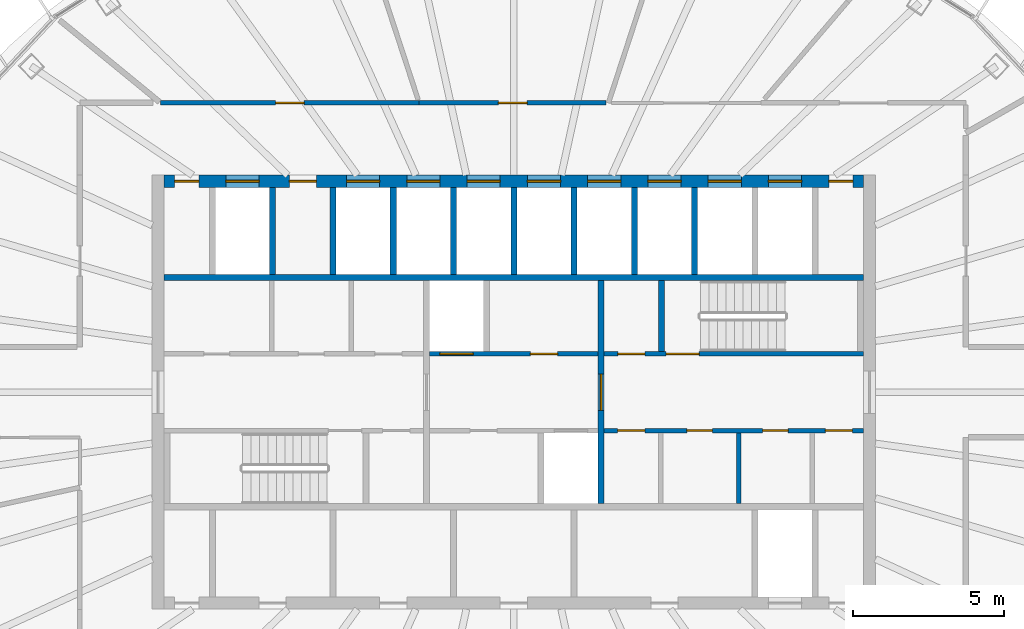
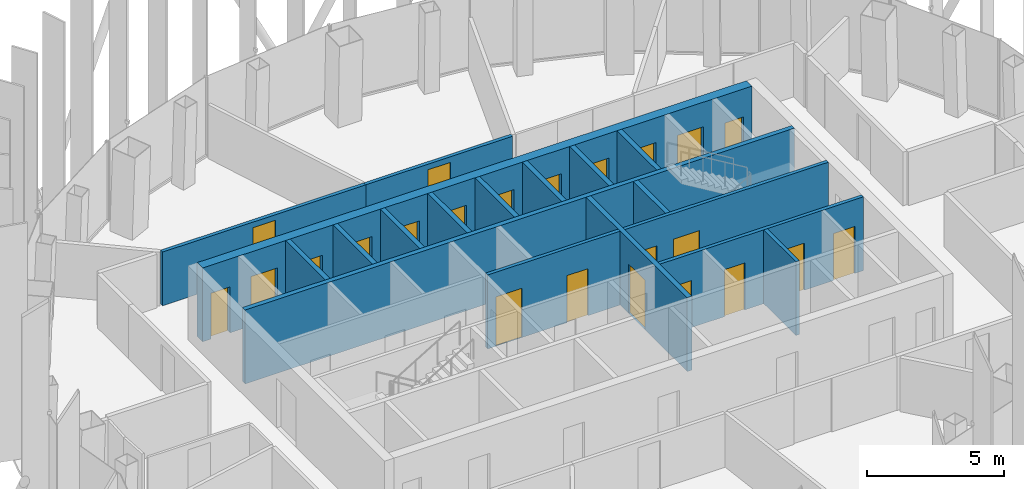
# One storey, part 11 of 20: 23 doors, 18 walls, 23 openings.
"""IFC4 building model written with IfcOpenShell, lengths in metres."""

from ifc_helpers import new_model, si_unit, direction, frame, frame_2d, origin, place, context, subcontext, project, spatial, rectangle, extrude, material, layer, layer_set, type_object, element, fill, save


model = new_model("IFC4")

# Units and contexts
model_context = context("Model", 3, precision=1e-05, world=origin(), true_north=direction((0.0, 1.0)))
body_context = subcontext(model_context, "Body", "Model", "MODEL_VIEW")
ifc_project = project(units=[si_unit("LENGTHUNIT", "METRE"), si_unit("AREAUNIT", "SQUARE_METRE"), si_unit("VOLUMEUNIT", "CUBIC_METRE"), si_unit("PLANEANGLEUNIT", "RADIAN"), si_unit("MASSUNIT", "GRAM", prefix="KILO")], contexts=[model_context])

# Site, building, storey
site_placement = place(None, origin())
site = spatial("IfcSite", under=ifc_project, at=site_placement, CompositionType="ELEMENT")
building_placement = place(site_placement, origin())
building = spatial("IfcBuilding", under=site, at=building_placement, Name="Siaravel Broadcast Tower", CompositionType="ELEMENT")
storey_placement = place(building_placement, frame((0.0, 0.0, 228.199951171875)))
storey = spatial("IfcBuildingStorey", under=building, at=storey_placement, Name="L55", CompositionType="ELEMENT", Elevation=228.199951171875)

# Wall
ifc_material_1 = material(Name="Concrete blockwork", Category="masonry")
ifc_layer_1 = layer(ifc_material_1, 0.14990234375)
ifc_layer_set_1 = layer_set([ifc_layer_1], Name="Concrete blockwork")
wall_type_1 = type_object("IfcWallType", Name="Core partition 150", PredefinedType="PARTITIONING", material=ifc_layer_set_1)
wall_1_placement = place(storey_placement, frame((7.462890625, -3.699951171875, 0.0), z_axis=(0.0, 0.0, 1.0), x_axis=(0.0, 1.0, 0.0)))
element("IfcWall", 1, at=wall_1_placement, inside=storey, type_object=wall_type_1, Name="L55 core partition PSE1", PredefinedType="PARTITIONING", context=body_context, shape_type="SweptSolid", body=[
    extrude(rectangle(XDim=2.349853515625, YDim=0.14990234375, at=frame_2d((1.1748046875, 0.0))), origin(), (0.0, 0.0, 1.0), 3.300048828125),
])

# Wall, openings, doors
ifc_material_2 = material(Name="Concrete C60/75", Category="concrete")
ifc_layer_2 = layer(ifc_material_2, 0.39990234375)
ifc_layer_set_2 = layer_set([ifc_layer_2], Name="Concrete C60/75")
wall_type_2 = type_object("IfcWallType", Name="Core wall 400", PredefinedType="SHEAR", material=ifc_layer_set_2)
wall_2_placement = place(storey_placement, frame((-11.60009765625, 7.0, 0.0), z_axis=(0.0, 0.0, 1.0), x_axis=(1.0, 0.0, 0.0)))
wall_2 = element("IfcWall", 2, at=wall_2_placement, inside=storey, type_object=wall_type_2, Name="L55 core wall ON", PredefinedType="SHEAR", context=body_context, shape_type="SweptSolid", body=[
    extrude(rectangle(XDim=23.2001953125, YDim=0.39990234375, at=frame_2d((11.60009765625, 0.0))), origin(), (0.0, 0.0, 1.0), 3.300048828125),
])
opening_1_placement = place(wall_2_placement, frame((2.050048828125, 0.0, 0.0)))
opening_1 = element("IfcOpeningElement", 3, at=opening_1_placement, cuts=wall_2, Name="Opening LD-SV2-L55", PredefinedType="OPENING", context=body_context, shape_type="SweptSolid", body=[
    extrude(rectangle(XDim=1.10009765625, YDim=2.199951171875, at=frame_2d((0.550048828125, 1.10009765625))), frame((0.0, 0.2099609375, 0.0), z_axis=(0.0, -1.0, 0.0), x_axis=(1.0, 0.0, 0.0)), (0.0, 0.0, 1.0), 0.419921875),
])
opening_2_placement = place(wall_2_placement, frame((6.050048828125, 0.0, 0.0)))
opening_2 = element("IfcOpeningElement", 4, at=opening_2_placement, cuts=wall_2, Name="Opening LD-HP1-L55", PredefinedType="OPENING", context=body_context, shape_type="SweptSolid", body=[
    extrude(rectangle(XDim=1.10009765625, YDim=2.199951171875, at=frame_2d((0.550048828125, 1.10009765625))), frame((0.0, 0.2099609375, 0.0), z_axis=(0.0, -1.0, 0.0), x_axis=(1.0, 0.0, 0.0)), (0.0, 0.0, 1.0), 0.419921875),
])
opening_3_placement = place(wall_2_placement, frame((8.050048828125, 0.0, 0.0)))
opening_3 = element("IfcOpeningElement", 5, at=opening_3_placement, cuts=wall_2, Name="Opening LD-HP2-L55", PredefinedType="OPENING", context=body_context, shape_type="SweptSolid", body=[
    extrude(rectangle(XDim=1.10009765625, YDim=2.199951171875, at=frame_2d((0.550048828125, 1.10009765625))), frame((0.0, 0.2099609375, 0.0), z_axis=(0.0, -1.0, 0.0), x_axis=(1.0, 0.0, 0.0)), (0.0, 0.0, 1.0), 0.419921875),
])
opening_4_placement = place(wall_2_placement, frame((10.050048828125, 0.0, 0.0)))
opening_4 = element("IfcOpeningElement", 6, at=opening_4_placement, cuts=wall_2, Name="Opening LD-HP3-L55", PredefinedType="OPENING", context=body_context, shape_type="SweptSolid", body=[
    extrude(rectangle(XDim=1.10009765625, YDim=2.199951171875, at=frame_2d((0.550048828125, 1.10009765625))), frame((0.0, 0.2099609375, 0.0), z_axis=(0.0, -1.0, 0.0), x_axis=(1.0, 0.0, 0.0)), (0.0, 0.0, 1.0), 0.419921875),
])
opening_5_placement = place(wall_2_placement, frame((12.050048828125, 0.0, 0.0)))
opening_5 = element("IfcOpeningElement", 7, at=opening_5_placement, cuts=wall_2, Name="Opening LD-HP4-L55", PredefinedType="OPENING", context=body_context, shape_type="SweptSolid", body=[
    extrude(rectangle(XDim=1.10009765625, YDim=2.199951171875, at=frame_2d((0.550048828125, 1.10009765625))), frame((0.0, 0.2099609375, 0.0), z_axis=(0.0, -1.0, 0.0), x_axis=(1.0, 0.0, 0.0)), (0.0, 0.0, 1.0), 0.419921875),
])
opening_6_placement = place(wall_2_placement, frame((14.050048828125, 0.0, 0.0)))
opening_6 = element("IfcOpeningElement", 8, at=opening_6_placement, cuts=wall_2, Name="Opening LD-HP5-L55", PredefinedType="OPENING", context=body_context, shape_type="SweptSolid", body=[
    extrude(rectangle(XDim=1.10009765625, YDim=2.199951171875, at=frame_2d((0.550048828125, 1.10009765625))), frame((0.0, 0.2099609375, 0.0), z_axis=(0.0, -1.0, 0.0), x_axis=(1.0, 0.0, 0.0)), (0.0, 0.0, 1.0), 0.419921875),
])
opening_7_placement = place(wall_2_placement, frame((16.050048828125, 0.0, 0.0)))
opening_7 = element("IfcOpeningElement", 9, at=opening_7_placement, cuts=wall_2, Name="Opening LD-HP6-L55", PredefinedType="OPENING", context=body_context, shape_type="SweptSolid", body=[
    extrude(rectangle(XDim=1.10009765625, YDim=2.199951171875, at=frame_2d((0.550048828125, 1.10009765625))), frame((0.0, 0.2099609375, 0.0), z_axis=(0.0, -1.0, 0.0), x_axis=(1.0, 0.0, 0.0)), (0.0, 0.0, 1.0), 0.419921875),
])
opening_8_placement = place(wall_2_placement, frame((18.050048828125, 0.0, 0.0)))
opening_8 = element("IfcOpeningElement", 10, at=opening_8_placement, cuts=wall_2, Name="Opening LD-HP7-L55", PredefinedType="OPENING", context=body_context, shape_type="SweptSolid", body=[
    extrude(rectangle(XDim=1.10009765625, YDim=2.199951171875, at=frame_2d((0.550048828125, 1.10009765625))), frame((0.0, 0.2099609375, 0.0), z_axis=(0.0, -1.0, 0.0), x_axis=(1.0, 0.0, 0.0)), (0.0, 0.0, 1.0), 0.419921875),
])
opening_9_placement = place(wall_2_placement, frame((20.050048828125, 0.0, 0.0)))
opening_9 = element("IfcOpeningElement", 11, at=opening_9_placement, cuts=wall_2, Name="Opening LD-HP8-L55", PredefinedType="OPENING", context=body_context, shape_type="SweptSolid", body=[
    extrude(rectangle(XDim=1.10009765625, YDim=2.199951171875, at=frame_2d((0.550048828125, 1.10009765625))), frame((0.0, 0.2099609375, 0.0), z_axis=(0.0, -1.0, 0.0), x_axis=(1.0, 0.0, 0.0)), (0.0, 0.0, 1.0), 0.419921875),
])
opening_10_placement = place(wall_2_placement, frame((4.14990234375, 0.0, 0.0)))
opening_10 = element("IfcOpeningElement", 12, at=opening_10_placement, cuts=wall_2, Name="Opening L55-DFN1", PredefinedType="OPENING", context=body_context, shape_type="SweptSolid", body=[
    extrude(rectangle(XDim=0.89990234375, YDim=2.10009765625, at=frame_2d((0.449951171875, 1.050048828125))), frame((0.0, 0.2099609375, 0.0), z_axis=(0.0, -1.0, 0.0), x_axis=(1.0, 0.0, 0.0)), (0.0, 0.0, 1.0), 0.419921875),
])
opening_11_placement = place(wall_2_placement, frame((0.35009765625, 0.0, 0.0)))
opening_11 = element("IfcOpeningElement", 13, at=opening_11_placement, cuts=wall_2, Name="Opening L55-DRNW", PredefinedType="OPENING", context=body_context, shape_type="SweptSolid", body=[
    extrude(rectangle(XDim=0.800048828125, YDim=2.050048828125, at=frame_2d((0.39990234375, 1.02490234375))), frame((0.0, 0.2099609375, 0.0), z_axis=(0.0, -1.0, 0.0), x_axis=(1.0, 0.0, 0.0)), (0.0, 0.0, 1.0), 0.419921875),
])
opening_12_placement = place(wall_2_placement, frame((22.050048828125, 0.0, 0.0)))
opening_12 = element("IfcOpeningElement", 14, at=opening_12_placement, cuts=wall_2, Name="Opening L55-DRNE", PredefinedType="OPENING", context=body_context, shape_type="SweptSolid", body=[
    extrude(rectangle(XDim=0.800048828125, YDim=2.050048828125, at=frame_2d((0.39990234375, 1.02490234375))), frame((0.0, 0.2099609375, 0.0), z_axis=(0.0, -1.0, 0.0), x_axis=(1.0, 0.0, 0.0)), (0.0, 0.0, 1.0), 0.419921875),
])
ifc_material_3 = material(Name="Timber veneer", Category="wood")
door_type_1 = type_object("IfcDoorType", Name="Core room door 900", OperationType="SINGLE_SWING_LEFT", PredefinedType="DOOR", material=ifc_material_3)
door_1_placement = place(opening_10_placement, origin())
door_1 = element("IfcDoor", 15, at=door_1_placement, inside=storey, type_object=door_type_1, Name="L55 door DFN1", OperationType="SINGLE_SWING_LEFT", OverallHeight=2.10009765625, OverallWidth=0.89990234375, PredefinedType="DOOR", context=body_context, shape_type="SweptSolid", body=[
    extrude(rectangle(XDim=0.89990234375, YDim=2.10009765625, at=frame_2d((0.449951171875, 1.050048828125))), frame((0.0, 0.02490234375, 0.0), z_axis=(0.0, -1.0, 0.0), x_axis=(1.0, 0.0, 0.0)), (0.0, 0.0, 1.0), 0.050048828125),
])
fill(opening_10, door_1)
ifc_material_4 = material(Name="Stainless steel 316L", Category="steel")
door_type_2 = type_object("IfcDoorType", Name="Lift landing door 1100", OperationType="DOUBLE_DOOR_SLIDING", PredefinedType="DOOR", material=ifc_material_4)
door_2_placement = place(opening_2_placement, origin())
door_2 = element("IfcDoor", 16, at=door_2_placement, inside=storey, type_object=door_type_2, Name="Landing door HP1 L55", OperationType="DOUBLE_DOOR_SLIDING", OverallHeight=2.199951171875, OverallWidth=1.10009765625, PredefinedType="DOOR", context=body_context, shape_type="SweptSolid", body=[
    extrude(rectangle(XDim=1.10009765625, YDim=2.199951171875, at=frame_2d((0.550048828125, 1.10009765625))), frame((0.0, 0.02490234375, 0.0), z_axis=(0.0, -1.0, 0.0), x_axis=(1.0, 0.0, 0.0)), (0.0, 0.0, 1.0), 0.050048828125),
])
fill(opening_2, door_2)
door_3_placement = place(opening_3_placement, origin())
door_3 = element("IfcDoor", 17, at=door_3_placement, inside=storey, type_object=door_type_2, Name="Landing door HP2 L55", OperationType="DOUBLE_DOOR_SLIDING", OverallHeight=2.199951171875, OverallWidth=1.10009765625, PredefinedType="DOOR", context=body_context, shape_type="SweptSolid", body=[
    extrude(rectangle(XDim=1.10009765625, YDim=2.199951171875, at=frame_2d((0.550048828125, 1.10009765625))), frame((0.0, 0.02490234375, 0.0), z_axis=(0.0, -1.0, 0.0), x_axis=(1.0, 0.0, 0.0)), (0.0, 0.0, 1.0), 0.050048828125),
])
fill(opening_3, door_3)
door_4_placement = place(opening_4_placement, origin())
door_4 = element("IfcDoor", 18, at=door_4_placement, inside=storey, type_object=door_type_2, Name="Landing door HP3 L55", OperationType="DOUBLE_DOOR_SLIDING", OverallHeight=2.199951171875, OverallWidth=1.10009765625, PredefinedType="DOOR", context=body_context, shape_type="SweptSolid", body=[
    extrude(rectangle(XDim=1.10009765625, YDim=2.199951171875, at=frame_2d((0.550048828125, 1.10009765625))), frame((0.0, 0.02490234375, 0.0), z_axis=(0.0, -1.0, 0.0), x_axis=(1.0, 0.0, 0.0)), (0.0, 0.0, 1.0), 0.050048828125),
])
fill(opening_4, door_4)
door_5_placement = place(opening_5_placement, origin())
door_5 = element("IfcDoor", 19, at=door_5_placement, inside=storey, type_object=door_type_2, Name="Landing door HP4 L55", OperationType="DOUBLE_DOOR_SLIDING", OverallHeight=2.199951171875, OverallWidth=1.10009765625, PredefinedType="DOOR", context=body_context, shape_type="SweptSolid", body=[
    extrude(rectangle(XDim=1.10009765625, YDim=2.199951171875, at=frame_2d((0.550048828125, 1.10009765625))), frame((0.0, 0.02490234375, 0.0), z_axis=(0.0, -1.0, 0.0), x_axis=(1.0, 0.0, 0.0)), (0.0, 0.0, 1.0), 0.050048828125),
])
fill(opening_5, door_5)
door_6_placement = place(opening_6_placement, origin())
door_6 = element("IfcDoor", 20, at=door_6_placement, inside=storey, type_object=door_type_2, Name="Landing door HP5 L55", OperationType="DOUBLE_DOOR_SLIDING", OverallHeight=2.199951171875, OverallWidth=1.10009765625, PredefinedType="DOOR", context=body_context, shape_type="SweptSolid", body=[
    extrude(rectangle(XDim=1.10009765625, YDim=2.199951171875, at=frame_2d((0.550048828125, 1.10009765625))), frame((0.0, 0.02490234375, 0.0), z_axis=(0.0, -1.0, 0.0), x_axis=(1.0, 0.0, 0.0)), (0.0, 0.0, 1.0), 0.050048828125),
])
fill(opening_6, door_6)
door_7_placement = place(opening_7_placement, origin())
door_7 = element("IfcDoor", 21, at=door_7_placement, inside=storey, type_object=door_type_2, Name="Landing door HP6 L55", OperationType="DOUBLE_DOOR_SLIDING", OverallHeight=2.199951171875, OverallWidth=1.10009765625, PredefinedType="DOOR", context=body_context, shape_type="SweptSolid", body=[
    extrude(rectangle(XDim=1.10009765625, YDim=2.199951171875, at=frame_2d((0.550048828125, 1.10009765625))), frame((0.0, 0.02490234375, 0.0), z_axis=(0.0, -1.0, 0.0), x_axis=(1.0, 0.0, 0.0)), (0.0, 0.0, 1.0), 0.050048828125),
])
fill(opening_7, door_7)
door_8_placement = place(opening_8_placement, origin())
door_8 = element("IfcDoor", 22, at=door_8_placement, inside=storey, type_object=door_type_2, Name="Landing door HP7 L55", OperationType="DOUBLE_DOOR_SLIDING", OverallHeight=2.199951171875, OverallWidth=1.10009765625, PredefinedType="DOOR", context=body_context, shape_type="SweptSolid", body=[
    extrude(rectangle(XDim=1.10009765625, YDim=2.199951171875, at=frame_2d((0.550048828125, 1.10009765625))), frame((0.0, 0.02490234375, 0.0), z_axis=(0.0, -1.0, 0.0), x_axis=(1.0, 0.0, 0.0)), (0.0, 0.0, 1.0), 0.050048828125),
])
fill(opening_8, door_8)
door_9_placement = place(opening_9_placement, origin())
door_9 = element("IfcDoor", 23, at=door_9_placement, inside=storey, type_object=door_type_2, Name="Landing door HP8 L55", OperationType="DOUBLE_DOOR_SLIDING", OverallHeight=2.199951171875, OverallWidth=1.10009765625, PredefinedType="DOOR", context=body_context, shape_type="SweptSolid", body=[
    extrude(rectangle(XDim=1.10009765625, YDim=2.199951171875, at=frame_2d((0.550048828125, 1.10009765625))), frame((0.0, 0.02490234375, 0.0), z_axis=(0.0, -1.0, 0.0), x_axis=(1.0, 0.0, 0.0)), (0.0, 0.0, 1.0), 0.050048828125),
])
fill(opening_9, door_9)
ifc_material_5 = material(Name="Steel", Category="steel")
door_type_3 = type_object("IfcDoorType", Name="Riser door 800", OperationType="SINGLE_SWING_LEFT", PredefinedType="DOOR", material=ifc_material_5)
door_10_placement = place(opening_11_placement, origin())
door_10 = element("IfcDoor", 24, at=door_10_placement, inside=storey, type_object=door_type_3, Name="L55 door DRNW", OperationType="SINGLE_SWING_LEFT", OverallHeight=2.050048828125, OverallWidth=0.800048828125, PredefinedType="DOOR", context=body_context, shape_type="SweptSolid", body=[
    extrude(rectangle(XDim=0.800048828125, YDim=2.050048828125, at=frame_2d((0.39990234375, 1.02490234375))), frame((0.0, 0.02490234375, 0.0), z_axis=(0.0, -1.0, 0.0), x_axis=(1.0, 0.0, 0.0)), (0.0, 0.0, 1.0), 0.050048828125),
])
fill(opening_11, door_10)
door_11_placement = place(opening_12_placement, origin())
door_11 = element("IfcDoor", 25, at=door_11_placement, inside=storey, type_object=door_type_3, Name="L55 door DRNE", OperationType="SINGLE_SWING_LEFT", OverallHeight=2.050048828125, OverallWidth=0.800048828125, PredefinedType="DOOR", context=body_context, shape_type="SweptSolid", body=[
    extrude(rectangle(XDim=0.800048828125, YDim=2.050048828125, at=frame_2d((0.39990234375, 1.02490234375))), frame((0.0, 0.02490234375, 0.0), z_axis=(0.0, -1.0, 0.0), x_axis=(1.0, 0.0, 0.0)), (0.0, 0.0, 1.0), 0.050048828125),
])
fill(opening_12, door_11)
door_type_4 = type_object("IfcDoorType", Name="Service lift landing door 1100", OperationType="DOUBLE_DOOR_SLIDING", PredefinedType="DOOR", material=ifc_material_4)
door_12_placement = place(opening_1_placement, origin())
door_12 = element("IfcDoor", 26, at=door_12_placement, inside=storey, type_object=door_type_4, Name="Landing door SV2 L55", OperationType="DOUBLE_DOOR_SLIDING", OverallHeight=2.199951171875, OverallWidth=1.10009765625, PredefinedType="DOOR", context=body_context, shape_type="SweptSolid", body=[
    extrude(rectangle(XDim=1.10009765625, YDim=2.199951171875, at=frame_2d((0.550048828125, 1.10009765625))), frame((0.0, 0.02490234375, 0.0), z_axis=(0.0, -1.0, 0.0), x_axis=(1.0, 0.0, 0.0)), (0.0, 0.0, 1.0), 0.050048828125),
])
fill(opening_1, door_12)

ifc_material_6 = material(Name="Gypsum board partition", Category="gypsum")
ifc_layer_3 = layer(ifc_material_6, 0.14990234375)
ifc_layer_set_3 = layer_set([ifc_layer_3], Name="Gypsum board partition")
wall_type_3 = type_object("IfcWallType", Name="Corridor wall 150", PredefinedType="PARTITIONING", material=ifc_layer_set_3)
wall_3_placement = place(storey_placement, frame((3.0, -1.27490234375, 0.0), z_axis=(0.0, 0.0, 1.0), x_axis=(1.0, 0.0, 0.0)))
wall_3 = element("IfcWall", 27, at=wall_3_placement, inside=storey, type_object=wall_type_3, Name="L55 core partition CSE", PredefinedType="PARTITIONING", context=body_context, shape_type="SweptSolid", body=[
    extrude(rectangle(XDim=8.60009765625, YDim=0.14990234375, at=frame_2d((4.300048828125, 0.0))), origin(), (0.0, 0.0, 1.0), 3.300048828125),
])
opening_13_placement = place(wall_3_placement, frame((0.446533203125, 0.0, 0.0)))
opening_13 = element("IfcOpeningElement", 28, at=opening_13_placement, cuts=wall_3, Name="Opening L55-DSE0", PredefinedType="OPENING", context=body_context, shape_type="SweptSolid", body=[
    extrude(rectangle(XDim=0.89990234375, YDim=2.10009765625, at=frame_2d((0.449951171875, 1.050048828125))), frame((0.0, 0.0849609375, 0.0), z_axis=(0.0, -1.0, 0.0), x_axis=(1.0, 0.0, 0.0)), (0.0, 0.0, 1.0), 0.169921875),
])
opening_14_placement = place(wall_3_placement, frame((2.740478515625, 0.0, 0.0)))
opening_14 = element("IfcOpeningElement", 29, at=opening_14_placement, cuts=wall_3, Name="Opening L55-DSE1", PredefinedType="OPENING", context=body_context, shape_type="SweptSolid", body=[
    extrude(rectangle(XDim=0.85009765625, YDim=2.10009765625, at=frame_2d((0.425048828125, 1.050048828125))), frame((0.0, 0.0849609375, 0.0), z_axis=(0.0, -1.0, 0.0), x_axis=(1.0, 0.0, 0.0)), (0.0, 0.0, 1.0), 0.169921875),
])
opening_15_placement = place(wall_3_placement, frame((5.25390625, 0.0, 0.0)))
opening_15 = element("IfcOpeningElement", 30, at=opening_15_placement, cuts=wall_3, Name="Opening L55-DSE2", PredefinedType="OPENING", context=body_context, shape_type="SweptSolid", body=[
    extrude(rectangle(XDim=0.85009765625, YDim=2.10009765625, at=frame_2d((0.425048828125, 1.050048828125))), frame((0.0, 0.0849609375, 0.0), z_axis=(0.0, -1.0, 0.0), x_axis=(1.0, 0.0, 0.0)), (0.0, 0.0, 1.0), 0.169921875),
])
opening_16_placement = place(wall_3_placement, frame((7.3349609375, 0.0, 0.0)))
opening_16 = element("IfcOpeningElement", 31, at=opening_16_placement, cuts=wall_3, Name="Opening L55-DSE3", PredefinedType="OPENING", context=body_context, shape_type="SweptSolid", body=[
    extrude(rectangle(XDim=0.89990234375, YDim=2.10009765625, at=frame_2d((0.449951171875, 1.050048828125))), frame((0.0, 0.0849609375, 0.0), z_axis=(0.0, -1.0, 0.0), x_axis=(1.0, 0.0, 0.0)), (0.0, 0.0, 1.0), 0.169921875),
])
door_13_placement = place(opening_13_placement, origin())
door_13 = element("IfcDoor", 32, at=door_13_placement, inside=storey, type_object=door_type_1, Name="L55 door DSE0", OperationType="SINGLE_SWING_LEFT", OverallHeight=2.10009765625, OverallWidth=0.89990234375, PredefinedType="DOOR", context=body_context, shape_type="SweptSolid", body=[
    extrude(rectangle(XDim=0.89990234375, YDim=2.10009765625, at=frame_2d((0.449951171875, 1.050048828125))), frame((0.0, 0.02490234375, 0.0), z_axis=(0.0, -1.0, 0.0), x_axis=(1.0, 0.0, 0.0)), (0.0, 0.0, 1.0), 0.050048828125),
])
fill(opening_13, door_13)
door_14_placement = place(opening_16_placement, origin())
door_14 = element("IfcDoor", 33, at=door_14_placement, inside=storey, type_object=door_type_1, Name="L55 door DSE3", OperationType="SINGLE_SWING_LEFT", OverallHeight=2.10009765625, OverallWidth=0.89990234375, PredefinedType="DOOR", context=body_context, shape_type="SweptSolid", body=[
    extrude(rectangle(XDim=0.89990234375, YDim=2.10009765625, at=frame_2d((0.449951171875, 1.050048828125))), frame((0.0, 0.02490234375, 0.0), z_axis=(0.0, -1.0, 0.0), x_axis=(1.0, 0.0, 0.0)), (0.0, 0.0, 1.0), 0.050048828125),
])
fill(opening_16, door_14)
door_type_5 = type_object("IfcDoorType", Name="Core toilet door 850", OperationType="SINGLE_SWING_LEFT", PredefinedType="DOOR", material=ifc_material_3)
door_15_placement = place(opening_14_placement, origin())
door_15 = element("IfcDoor", 34, at=door_15_placement, inside=storey, type_object=door_type_5, Name="L55 door DSE1", OperationType="SINGLE_SWING_LEFT", OverallHeight=2.10009765625, OverallWidth=0.85009765625, PredefinedType="DOOR", context=body_context, shape_type="SweptSolid", body=[
    extrude(rectangle(XDim=0.85009765625, YDim=2.10009765625, at=frame_2d((0.425048828125, 1.050048828125))), frame((0.0, 0.02490234375, 0.0), z_axis=(0.0, -1.0, 0.0), x_axis=(1.0, 0.0, 0.0)), (0.0, 0.0, 1.0), 0.050048828125),
])
fill(opening_14, door_15)
door_16_placement = place(opening_15_placement, origin())
door_16 = element("IfcDoor", 35, at=door_16_placement, inside=storey, type_object=door_type_5, Name="L55 door DSE2", OperationType="SINGLE_SWING_LEFT", OverallHeight=2.10009765625, OverallWidth=0.85009765625, PredefinedType="DOOR", context=body_context, shape_type="SweptSolid", body=[
    extrude(rectangle(XDim=0.85009765625, YDim=2.10009765625, at=frame_2d((0.425048828125, 1.050048828125))), frame((0.0, 0.02490234375, 0.0), z_axis=(0.0, -1.0, 0.0), x_axis=(1.0, 0.0, 0.0)), (0.0, 0.0, 1.0), 0.050048828125),
])
fill(opening_15, door_16)

# Wall, opening, door
wall_4_placement = place(storey_placement, frame((-3.140380859375, 9.60009765625, 0.0), z_axis=(0.0, 0.0, 1.0), x_axis=(-1.0, 0.0, 0.0)))
wall_4 = element("IfcWall", 36, at=wall_4_placement, inside=storey, type_object=wall_type_3, Name="L55 partition 2", PredefinedType="PARTITIONING", context=body_context, shape_type="SweptSolid", body=[
    extrude(rectangle(XDim=8.57958984375, YDim=0.14990234375, at=frame_2d((4.289794921875, 0.0))), origin(), (0.0, 0.0, 1.0), 2.400146484375),
])
opening_17_placement = place(wall_4_placement, frame((3.814697265625, 0.0, 0.0)))
opening_17 = element("IfcOpeningElement", 37, at=opening_17_placement, cuts=wall_4, Name="Opening L55-009", PredefinedType="OPENING", context=body_context, shape_type="SweptSolid", body=[
    extrude(rectangle(XDim=0.949951171875, YDim=2.14990234375, at=frame_2d((0.47509765625, 1.074951171875))), frame((0.0, 0.0849609375, 0.0), z_axis=(0.0, -1.0, 0.0), x_axis=(1.0, 0.0, 0.0)), (0.0, 0.0, 1.0), 0.169921875),
])
door_type_6 = type_object("IfcDoorType", Name="Office door 950", OperationType="SINGLE_SWING_LEFT", PredefinedType="DOOR", material=ifc_material_3)
door_17_placement = place(opening_17_placement, origin())
door_17 = element("IfcDoor", 38, at=door_17_placement, inside=storey, type_object=door_type_6, Name="L55 door to Reception", OperationType="SINGLE_SWING_LEFT", OverallHeight=2.14990234375, OverallWidth=0.949951171875, PredefinedType="DOOR", context=body_context, shape_type="SweptSolid", body=[
    extrude(rectangle(XDim=0.949951171875, YDim=2.14990234375, at=frame_2d((0.47509765625, 1.074951171875))), frame((0.0, 0.02490234375, 0.0), z_axis=(0.0, -1.0, 0.0), x_axis=(1.0, 0.0, 0.0)), (0.0, 0.0, 1.0), 0.050048828125),
])
fill(opening_17, door_17)

wall_5_placement = place(storey_placement, frame((3.067138671875, 9.60009765625, 0.0), z_axis=(0.0, 0.0, 1.0), x_axis=(-1.0, 0.0, 0.0)))
wall_5 = element("IfcWall", 39, at=wall_5_placement, inside=storey, type_object=wall_type_3, Name="L55 partition 12", PredefinedType="PARTITIONING", context=body_context, shape_type="SweptSolid", body=[
    extrude(rectangle(XDim=6.20654296875, YDim=0.14990234375, at=frame_2d((3.103271484375, 0.0))), origin(), (0.0, 0.0, 1.0), 2.400146484375),
])
opening_18_placement = place(wall_5_placement, frame((2.628173828125, 0.0, 0.0)))
opening_18 = element("IfcOpeningElement", 40, at=opening_18_placement, cuts=wall_5, Name="Opening L55-008", PredefinedType="OPENING", context=body_context, shape_type="SweptSolid", body=[
    extrude(rectangle(XDim=0.949951171875, YDim=2.14990234375, at=frame_2d((0.47509765625, 1.074951171875))), frame((0.0, 0.0849609375, 0.0), z_axis=(0.0, -1.0, 0.0), x_axis=(1.0, 0.0, 0.0)), (0.0, 0.0, 1.0), 0.169921875),
])
door_18_placement = place(opening_18_placement, origin())
door_18 = element("IfcDoor", 41, at=door_18_placement, inside=storey, type_object=door_type_6, Name="L55 door to Reception", OperationType="SINGLE_SWING_RIGHT", OverallHeight=2.14990234375, OverallWidth=0.949951171875, PredefinedType="DOOR", context=body_context, shape_type="SweptSolid", body=[
    extrude(rectangle(XDim=0.949951171875, YDim=2.14990234375, at=frame_2d((0.47509765625, 1.074951171875))), frame((0.0, 0.02490234375, 0.0), z_axis=(0.0, -1.0, 0.0), x_axis=(1.0, 0.0, 0.0)), (0.0, 0.0, 1.0), 0.050048828125),
])
fill(opening_18, door_18)

# Wall, openings, doors
ifc_layer_4 = layer(ifc_material_2, 0.14990234375)
ifc_layer_set_4 = layer_set([ifc_layer_4], Name="Concrete C60/75")
wall_type_4 = type_object("IfcWallType", Name="Shaft wall 150", PredefinedType="SHEAR", material=ifc_layer_set_4)
wall_6_placement = place(storey_placement, frame((-2.800048828125, 1.27490234375, 0.0), z_axis=(0.0, 0.0, 1.0), x_axis=(1.0, 0.0, 0.0)))
wall_6 = element("IfcWall", 42, at=wall_6_placement, inside=storey, type_object=wall_type_4, Name="L55 core wall CNM", PredefinedType="SHEAR", context=body_context, shape_type="SweptSolid", body=[
    extrude(rectangle(XDim=5.60009765625, YDim=0.14990234375, at=frame_2d((2.800048828125, 0.0))), origin(), (0.0, 0.0, 1.0), 3.300048828125),
])
opening_19_placement = place(wall_6_placement, frame((0.35009765625, 0.0, 0.0)))
opening_19 = element("IfcOpeningElement", 43, at=opening_19_placement, cuts=wall_6, Name="Opening LD-FL1-L55", PredefinedType="OPENING", context=body_context, shape_type="SweptSolid", body=[
    extrude(rectangle(XDim=1.10009765625, YDim=2.199951171875, at=frame_2d((0.550048828125, 1.10009765625))), frame((0.0, 0.0849609375, 0.0), z_axis=(0.0, -1.0, 0.0), x_axis=(1.0, 0.0, 0.0)), (0.0, 0.0, 1.0), 0.169921875),
])
opening_20_placement = place(wall_6_placement, frame((3.35009765625, 0.0, 0.0)))
opening_20 = element("IfcOpeningElement", 44, at=opening_20_placement, cuts=wall_6, Name="Opening L55-DNM0", PredefinedType="OPENING", context=body_context, shape_type="SweptSolid", body=[
    extrude(rectangle(XDim=0.89990234375, YDim=2.10009765625, at=frame_2d((0.449951171875, 1.050048828125))), frame((0.0, 0.0849609375, 0.0), z_axis=(0.0, -1.0, 0.0), x_axis=(1.0, 0.0, 0.0)), (0.0, 0.0, 1.0), 0.169921875),
])
door_19_placement = place(opening_20_placement, origin())
door_19 = element("IfcDoor", 45, at=door_19_placement, inside=storey, type_object=door_type_1, Name="L55 door DNM0", OperationType="SINGLE_SWING_LEFT", OverallHeight=2.10009765625, OverallWidth=0.89990234375, PredefinedType="DOOR", context=body_context, shape_type="SweptSolid", body=[
    extrude(rectangle(XDim=0.89990234375, YDim=2.10009765625, at=frame_2d((0.449951171875, 1.050048828125))), frame((0.0, 0.02490234375, 0.0), z_axis=(0.0, -1.0, 0.0), x_axis=(1.0, 0.0, 0.0)), (0.0, 0.0, 1.0), 0.050048828125),
])
fill(opening_20, door_19)
door_type_7 = type_object("IfcDoorType", Name="Firefighting lift landing door 1100", OperationType="DOUBLE_DOOR_SLIDING", PredefinedType="DOOR", material=ifc_material_4)
door_20_placement = place(opening_19_placement, origin())
door_20 = element("IfcDoor", 46, at=door_20_placement, inside=storey, type_object=door_type_7, Name="Landing door FL1 L55", OperationType="DOUBLE_DOOR_SLIDING", OverallHeight=2.199951171875, OverallWidth=1.10009765625, PredefinedType="DOOR", context=body_context, shape_type="SweptSolid", body=[
    extrude(rectangle(XDim=1.10009765625, YDim=2.199951171875, at=frame_2d((0.550048828125, 1.10009765625))), frame((0.0, 0.02490234375, 0.0), z_axis=(0.0, -1.0, 0.0), x_axis=(1.0, 0.0, 0.0)), (0.0, 0.0, 1.0), 0.050048828125),
])
fill(opening_19, door_20)

wall_7_placement = place(storey_placement, frame((3.0, 1.27490234375, 0.0), z_axis=(0.0, 0.0, 1.0), x_axis=(1.0, 0.0, 0.0)))
wall_7 = element("IfcWall", 47, at=wall_7_placement, inside=storey, type_object=wall_type_4, Name="L55 core wall CNE", PredefinedType="SHEAR", context=body_context, shape_type="SweptSolid", body=[
    extrude(rectangle(XDim=8.60009765625, YDim=0.14990234375, at=frame_2d((4.300048828125, 0.0))), origin(), (0.0, 0.0, 1.0), 3.300048828125),
])
opening_21_placement = place(wall_7_placement, frame((2.050048828125, 0.0, 0.0)))
opening_21 = element("IfcOpeningElement", 48, at=opening_21_placement, cuts=wall_7, Name="Opening L55-DS-2", PredefinedType="OPENING", context=body_context, shape_type="SweptSolid", body=[
    extrude(rectangle(XDim=1.10009765625, YDim=2.14990234375, at=frame_2d((0.550048828125, 1.074951171875))), frame((0.0, 0.0849609375, 0.0), z_axis=(0.0, -1.0, 0.0), x_axis=(1.0, 0.0, 0.0)), (0.0, 0.0, 1.0), 0.169921875),
])
opening_22_placement = place(wall_7_placement, frame((0.449951171875, 0.0, 0.0)))
opening_22 = element("IfcOpeningElement", 49, at=opening_22_placement, cuts=wall_7, Name="Opening L55-DNE0", PredefinedType="OPENING", context=body_context, shape_type="SweptSolid", body=[
    extrude(rectangle(XDim=0.89990234375, YDim=2.10009765625, at=frame_2d((0.449951171875, 1.050048828125))), frame((0.0, 0.0849609375, 0.0), z_axis=(0.0, -1.0, 0.0), x_axis=(1.0, 0.0, 0.0)), (0.0, 0.0, 1.0), 0.169921875),
])
door_21_placement = place(opening_22_placement, origin())
door_21 = element("IfcDoor", 50, at=door_21_placement, inside=storey, type_object=door_type_1, Name="L55 door DNE0", OperationType="SINGLE_SWING_LEFT", OverallHeight=2.10009765625, OverallWidth=0.89990234375, PredefinedType="DOOR", context=body_context, shape_type="SweptSolid", body=[
    extrude(rectangle(XDim=0.89990234375, YDim=2.10009765625, at=frame_2d((0.449951171875, 1.050048828125))), frame((0.0, 0.02490234375, 0.0), z_axis=(0.0, -1.0, 0.0), x_axis=(1.0, 0.0, 0.0)), (0.0, 0.0, 1.0), 0.050048828125),
])
fill(opening_22, door_21)
door_type_8 = type_object("IfcDoorType", Name="Stair door 1100", OperationType="SINGLE_SWING_LEFT", PredefinedType="DOOR", material=ifc_material_5)
door_22_placement = place(opening_21_placement, origin())
door_22 = element("IfcDoor", 51, at=door_22_placement, inside=storey, type_object=door_type_8, Name="L55 door DS-2", OperationType="SINGLE_SWING_LEFT", OverallHeight=2.14990234375, OverallWidth=1.10009765625, PredefinedType="DOOR", context=body_context, shape_type="SweptSolid", body=[
    extrude(rectangle(XDim=1.10009765625, YDim=2.14990234375, at=frame_2d((0.550048828125, 1.074951171875))), frame((0.0, 0.02490234375, 0.0), z_axis=(0.0, -1.0, 0.0), x_axis=(1.0, 0.0, 0.0)), (0.0, 0.0, 1.0), 0.050048828125),
])
fill(opening_21, door_22)

# Walls
ifc_layer_5 = layer(ifc_material_2, 0.199951171875)
ifc_layer_set_5 = layer_set([ifc_layer_5], Name="Concrete C60/75")
wall_type_5 = type_object("IfcWallType", Name="Shaft wall 200", PredefinedType="SHEAR", material=ifc_layer_set_5)
wall_8_placement = place(storey_placement, frame((-11.60009765625, 3.800048828125, 0.0), z_axis=(0.0, 0.0, 1.0), x_axis=(1.0, 0.0, 0.0)))
element("IfcWall", 52, at=wall_8_placement, inside=storey, type_object=wall_type_5, Name="L55 core wall BN", PredefinedType="SHEAR", context=body_context, shape_type="SweptSolid", body=[
    extrude(rectangle(XDim=23.2001953125, YDim=0.199951171875, at=frame_2d((11.60009765625, 0.0))), origin(), (0.0, 0.0, 1.0), 3.300048828125),
])
for number, where, z_axis, x_axis, name in (
    (53, (-8.0, 3.89990234375, 0.0), (0.0, 0.0, 1.0), (0.0, 1.0, 0.0), "L55 core wall SWN1"),
    (54, (-6.0, 3.89990234375, 0.0), (0.0, 0.0, 1.0), (0.0, 1.0, 0.0), "L55 core wall SWN2"),
    (55, (-4.0, 3.89990234375, 0.0), (0.0, 0.0, 1.0), (0.0, 1.0, 0.0), "L55 core wall SWN3"),
    (56, (-2.0, 3.89990234375, 0.0), (0.0, 0.0, 1.0), (0.0, 1.0, 0.0), "L55 core wall SWN4"),
    (57, (0.0, 3.89990234375, 0.0), (0.0, 0.0, 1.0), (0.0, 1.0, 0.0), "L55 core wall SWN5"),
    (58, (2.0, 3.89990234375, 0.0), (0.0, 0.0, 1.0), (0.0, 1.0, 0.0), "L55 core wall SWN6"),
    (59, (4.0, 3.89990234375, 0.0), (0.0, 0.0, 1.0), (0.0, 1.0, 0.0), "L55 core wall SWN7"),
    (60, (6.0, 3.89990234375, 0.0), (0.0, 0.0, 1.0), (0.0, 1.0, 0.0), "L55 core wall SWN8"),
):
    element("IfcWall", number, at=place(storey_placement, frame(where, z_axis=z_axis, x_axis=x_axis)), inside=storey, type_object=wall_type_5, Name=name, PredefinedType="SHEAR", context=body_context, shape_type="SweptSolid", body=[
        extrude(rectangle(XDim=2.900146484375, YDim=0.199951171875, at=frame_2d((1.4501953125, 0.0))), origin(), (0.0, 0.0, 1.0), 3.300048828125),
    ])

# Wall, opening, door
wall_9_placement = place(storey_placement, frame((2.89990234375, -3.699951171875, 0.0), z_axis=(0.0, 0.0, 1.0), x_axis=(0.0, 1.0, 0.0)))
wall_9 = element("IfcWall", 61, at=wall_9_placement, inside=storey, type_object=wall_type_5, Name="L55 core wall LE", PredefinedType="SHEAR", context=body_context, shape_type="SweptSolid", body=[
    extrude(rectangle(XDim=7.39990234375, YDim=0.199951171875, at=frame_2d((3.699951171875, 0.0))), origin(), (0.0, 0.0, 1.0), 3.300048828125),
])
opening_23_placement = place(wall_9_placement, frame((3.10009765625, 0.0, 0.0)))
opening_23 = element("IfcOpeningElement", 62, at=opening_23_placement, cuts=wall_9, Name="Opening L55-DL-E", PredefinedType="OPENING", context=body_context, shape_type="SweptSolid", body=[
    extrude(rectangle(XDim=1.199951171875, YDim=2.199951171875, at=frame_2d((0.60009765625, 1.10009765625))), frame((0.0, 0.10986328125, 0.0), z_axis=(0.0, -1.0, 0.0), x_axis=(1.0, 0.0, 0.0)), (0.0, 0.0, 1.0), 0.219970703125),
])
door_type_9 = type_object("IfcDoorType", Name="Firefighting lobby door 1200", OperationType="SINGLE_SWING_LEFT", PredefinedType="DOOR", material=ifc_material_5)
door_23_placement = place(opening_23_placement, origin())
door_23 = element("IfcDoor", 63, at=door_23_placement, inside=storey, type_object=door_type_9, Name="L55 door DL-E", OperationType="SINGLE_SWING_LEFT", OverallHeight=2.199951171875, OverallWidth=1.199951171875, PredefinedType="DOOR", context=body_context, shape_type="SweptSolid", body=[
    extrude(rectangle(XDim=1.199951171875, YDim=2.199951171875, at=frame_2d((0.60009765625, 1.10009765625))), frame((0.0, 0.02490234375, 0.0), z_axis=(0.0, -1.0, 0.0), x_axis=(1.0, 0.0, 0.0)), (0.0, 0.0, 1.0), 0.050048828125),
])
fill(opening_23, door_23)

# Wall
wall_10_placement = place(storey_placement, frame((4.89990234375, 1.35009765625, 0.0), z_axis=(0.0, 0.0, 1.0), x_axis=(0.0, 1.0, 0.0)))
element("IfcWall", 64, at=wall_10_placement, inside=storey, type_object=wall_type_5, Name="L55 core wall ST2W", PredefinedType="SHEAR", context=body_context, shape_type="SweptSolid", body=[
    extrude(rectangle(XDim=2.349853515625, YDim=0.199951171875, at=frame_2d((1.1748046875, 0.0))), origin(), (0.0, 0.0, 1.0), 3.300048828125),
])

save(model, "model.ifc")
